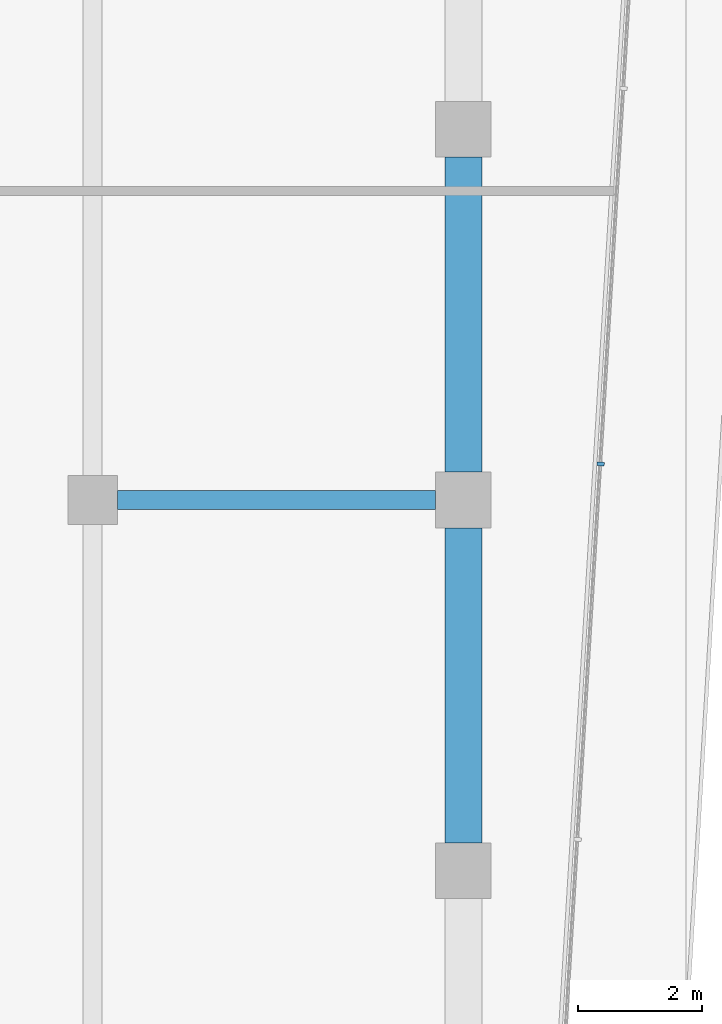
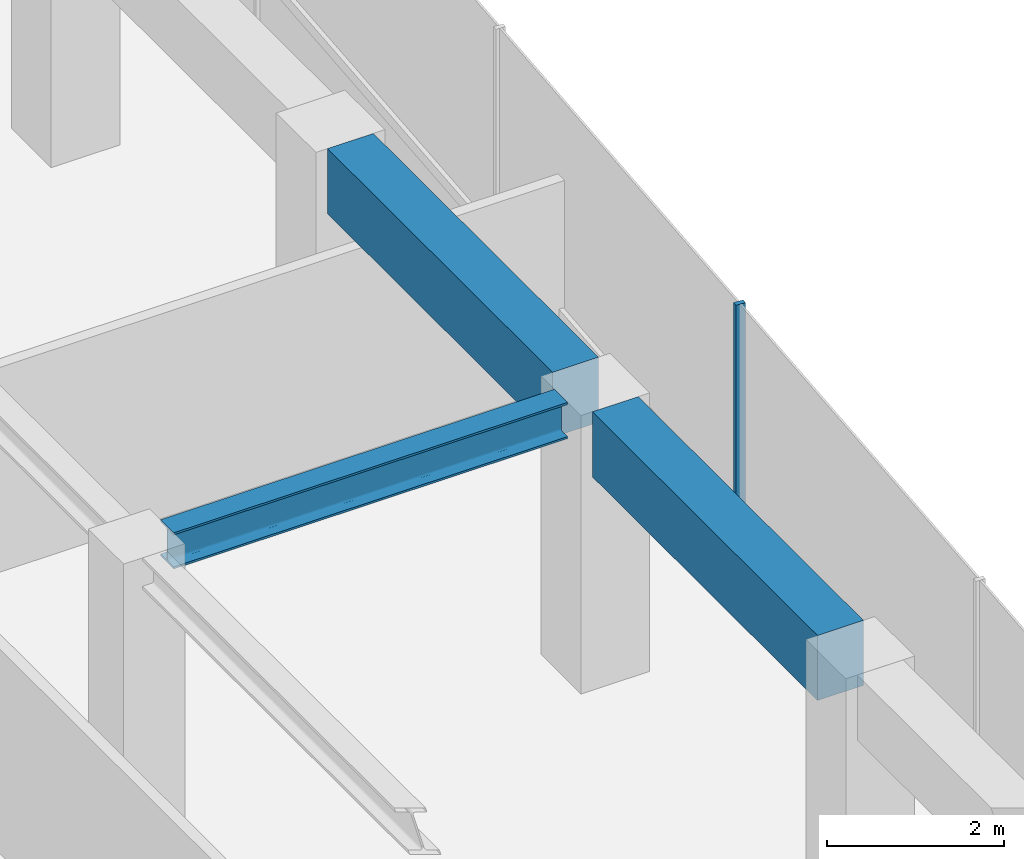
# One storey, part 15 of 24: 3 beams, 1 member, 1 element without a shape of its own.
"""IFC4 building model written with IfcOpenShell, lengths in metres."""

from ifc_helpers import new_model, si_unit, direction, frame, origin, origin_2d, place, context, subcontext, project, spatial, rectangle, i_section, extrude, material, layer, layer_set, material_profile, profile_set, type_object, element, aggregate, save


model = new_model("IFC4")

# Units and contexts
model_context = context("Model", 3, precision=1e-05, world=origin(), true_north=direction((0.0, 1.0)))
body_context = subcontext(model_context, "Body", "Model", "MODEL_VIEW")
ifc_project = project(units=[si_unit("LENGTHUNIT", "METRE"), si_unit("AREAUNIT", "SQUARE_METRE"), si_unit("VOLUMEUNIT", "CUBIC_METRE"), si_unit("PLANEANGLEUNIT", "RADIAN"), si_unit("MASSUNIT", "GRAM", prefix="KILO")], contexts=[model_context])

# Site, building, storey
site_placement = place(None, origin())
site = spatial("IfcSite", under=ifc_project, at=site_placement, CompositionType="ELEMENT")
building_placement = place(site_placement, origin())
building = spatial("IfcBuilding", under=site, at=building_placement, Name="Welwitschia Terrace Campus", CompositionType="ELEMENT")
storey_placement = place(building_placement, frame((0.0, 0.0, 125.60009765625)))
storey = spatial("IfcBuildingStorey", under=building, at=storey_placement, Name="L28", CompositionType="ELEMENT", Elevation=125.60009765625)

# Curtain wall, member
ifc_material_1 = material(Name="Bronze anodised aluminium", Category="aluminium")
ifc_layer = layer(ifc_material_1, 0.1201171875)
ifc_layer_set = layer_set([ifc_layer], Name="Bronze anodised aluminium")
curtain_wall_type = type_object("IfcCurtainWallType", Name="Curtain wall CW2 tower 6000", PredefinedType="NOTDEFINED", material=ifc_layer_set)
curtain_wall_placement = place(storey_placement, origin())
curtain_wall = element("IfcCurtainWall", 1, at=curtain_wall_placement, inside=storey, type_object=curtain_wall_type, Name="CW L28.10.0", PredefinedType="NOTDEFINED")
ifc_material_2 = material(Name="Bronze anodised aluminium", Category="aluminium")
ifc_material_profile_1 = material_profile(ifc_material_2, rectangle(XDim=0.1201171875, YDim=0.06005859375, at=origin_2d()))
ifc_profile_set_1 = profile_set([ifc_material_profile_1], Name="Bronze anodised aluminium")
member_type = type_object("IfcMemberType", Name="Mullion 60x120", PredefinedType="MULLION", material=ifc_profile_set_1)
member_placement = place(storey_placement, frame((26.22119140625, 52.583251953125, 0.0), z_axis=(0.0, 0.0, 1.0), x_axis=(-0.998134798422, 0.061048539535, 0.0)))
member = element("IfcMember", 2, at=member_placement, type_object=member_type, Name="Mullion L28.10.0.3", PredefinedType="MULLION", context=body_context, shape_type="SweptSolid", body=[
    extrude(rectangle(XDim=0.1201171875, YDim=0.06005859375, at=origin_2d()), origin(), (0.0, 0.0, 1.0), 3.849853515625),
])
aggregate(curtain_wall, [member])

# Beams
ifc_material_3 = material(Name="Steel S355", Category="steel")
ifc_material_profile_2 = material_profile(ifc_material_3, i_section(OverallWidth=0.300048828125, OverallDepth=0.5, WebThickness=0.014404296875, FlangeThickness=0.028076171875, FilletRadius=0.027099609375, at=origin_2d()))
ifc_profile_set_2 = profile_set([ifc_material_profile_2], Name="Steel S355")
beam_type_1 = type_object("IfcBeamType", Name="Primary beam HE 500 B", PredefinedType="BEAM", material=ifc_profile_set_2)
beam_placement = place(storey_placement, frame((23.549560546875, 52.0, 3.599853515625), z_axis=(-1.0, 0.0, 0.0), x_axis=(0.0, -1.0, 0.0)))
element("IfcBeam", 3, at=beam_placement, inside=storey, type_object=beam_type_1, Name="Primary beam PB3", PredefinedType="BEAM", context=body_context, shape_type="SweptSolid", body=[
    extrude(i_section(OverallWidth=0.300048828125, OverallDepth=0.5, WebThickness=0.014404296875, FlangeThickness=0.028076171875, FilletRadius=0.027099609375, at=origin_2d()), origin(), (0.0, 0.0, 1.0), 5.149169921875),
])
ifc_material_4 = material(Name="Concrete C60/75", Category="concrete")
ifc_material_profile_3 = material_profile(ifc_material_4, rectangle(XDim=0.60009765625, YDim=0.89990234375, at=origin_2d()))
ifc_profile_set_3 = profile_set([ifc_material_profile_3], Name="Concrete C60/75")
beam_type_2 = type_object("IfcBeamType", Name="Ring spandrel 600x900", PredefinedType="SPANDREL", material=ifc_profile_set_3)
for number, where, z_axis, x_axis, name in (
    (4, (24.0, 46.450439453125, 3.39990234375), (0.0, 1.0, 0.0), (-1.0, 0.0, 0.0), "Spandrel SP2"),
    (5, (24.0, 52.450439453125, 3.39990234375), (0.0, 1.0, 0.0), (-1.0, 0.0, 0.0), "Spandrel SP2"),
):
    element("IfcBeam", number, at=place(storey_placement, frame(where, z_axis=z_axis, x_axis=x_axis)), inside=storey, type_object=beam_type_2, Name=name, PredefinedType="SPANDREL", context=body_context, shape_type="SweptSolid", body=[
        extrude(rectangle(XDim=0.60009765625, YDim=0.89990234375, at=origin_2d()), origin(), (0.0, 0.0, 1.0), 5.09912109375),
    ])

save(model, "model.ifc")
